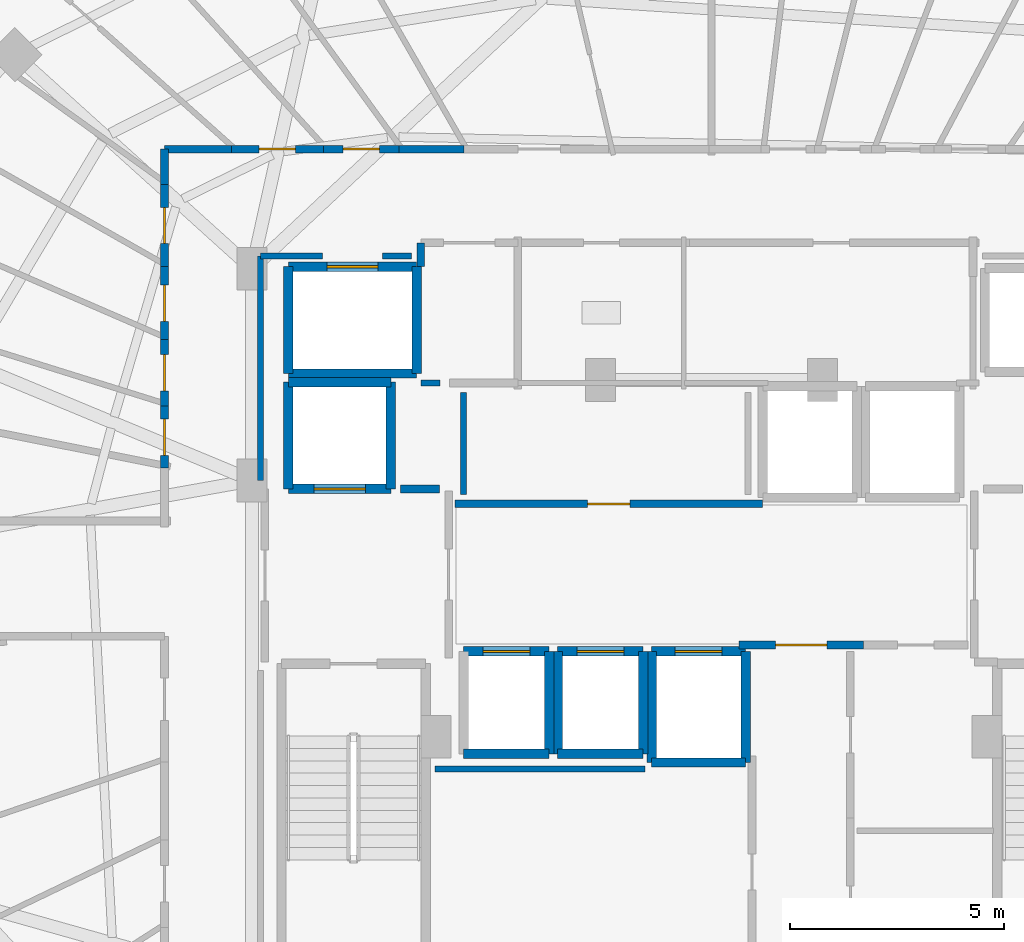
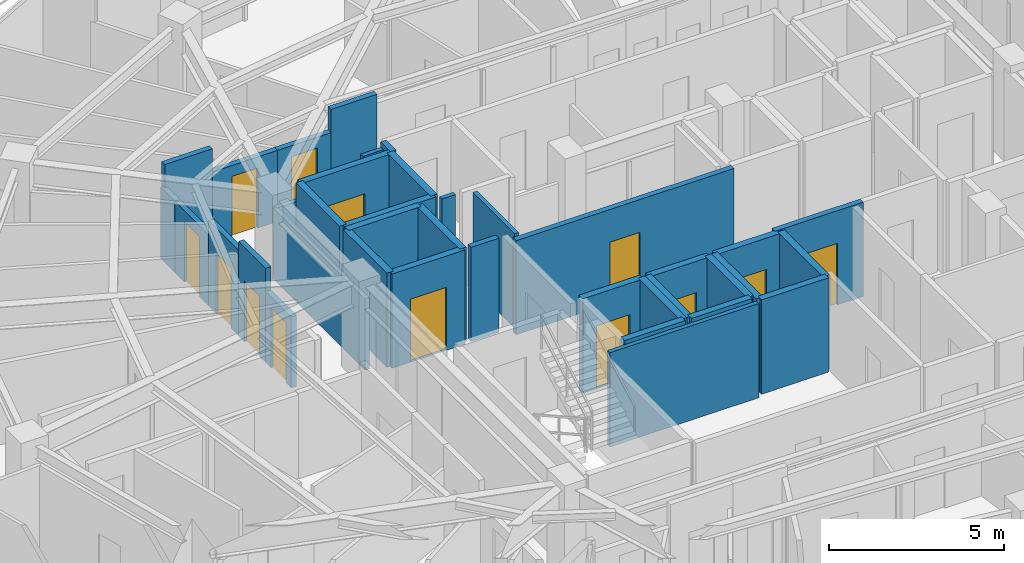
# One storey, part 26 of 34: 38 walls, 13 doors, 13 openings.
"""IFC4 building model written with IfcOpenShell, lengths in metres."""

from ifc_helpers import new_model, si_unit, direction, frame, frame_2d, origin, place, context, subcontext, project, spatial, rectangle, extrude, material, layer, layer_set, type_object, element, fill, save


model = new_model("IFC4")

# Units and contexts
model_context = context("Model", 3, precision=1e-05, world=origin(), true_north=direction((0.0, 1.0)))
body_context = subcontext(model_context, "Body", "Model", "MODEL_VIEW")
ifc_project = project(units=[si_unit("LENGTHUNIT", "METRE"), si_unit("AREAUNIT", "SQUARE_METRE"), si_unit("VOLUMEUNIT", "CUBIC_METRE"), si_unit("PLANEANGLEUNIT", "RADIAN"), si_unit("MASSUNIT", "GRAM", prefix="KILO")], contexts=[model_context])

# Site, building, storey
site_placement = place(None, origin())
site = spatial("IfcSite", under=ifc_project, at=site_placement, CompositionType="ELEMENT")
building_placement = place(site_placement, origin())
building = spatial("IfcBuilding", under=site, at=building_placement, Name="Vorneva Point Tower", CompositionType="ELEMENT")
storey_placement = place(building_placement, frame((0.0, 0.0, 210.75)))
storey = spatial("IfcBuildingStorey", under=building, at=storey_placement, Name="L57", CompositionType="ELEMENT", Elevation=210.75)

# Wall, opening, door
ifc_material_1 = material(Name="Concrete B60 (C50/60)", Category="concrete")
ifc_layer_1 = layer(ifc_material_1, 0.35009765625)
ifc_layer_set_1 = layer_set([ifc_layer_1], Name="Concrete B60 (C50/60)")
wall_type_1 = type_object("IfcWallType", Name="WL-CORE-350", PredefinedType="SHEAR", material=ifc_layer_set_1)
wall_1_placement = place(storey_placement, frame((28.10009765625, 28.0, 0.0), z_axis=(0.0, 0.0, 1.0), x_axis=(1.0, 0.0, 0.0)))
wall_1 = element("IfcWall", 1, at=wall_1_placement, inside=storey, type_object=wall_type_1, Name="L57 Lift FFL1 Shaft Wall -Y", PredefinedType="SHEAR", context=body_context, shape_type="SweptSolid", body=[
    extrude(rectangle(XDim=2.39990234375, YDim=0.219970703125, at=frame_2d((1.199951171875, 0.0))), origin(), (0.0, 0.0, 1.0), 3.2900390625),
])
opening_1_placement = place(wall_1_placement, frame((0.60009765625, 0.0, 0.0)))
opening_1 = element("IfcOpeningElement", 2, at=opening_1_placement, cuts=wall_1, Name="Opening LD-02", PredefinedType="OPENING", context=body_context, shape_type="SweptSolid", body=[
    extrude(rectangle(XDim=1.199951171875, YDim=2.199951171875, at=frame_2d((0.60009765625, 1.10009765625))), frame((0.0, 0.125, 0.0), z_axis=(0.0, -1.0, 0.0), x_axis=(1.0, 0.0, 0.0)), (0.0, 0.0, 1.0), 0.249755859375),
])
ifc_material_2 = material(Name="Brushed stainless steel S304", Category="steel")
door_type_1 = type_object("IfcDoorType", Name="LD-FIRE-1200", OperationType="SLIDING_TO_LEFT", PredefinedType="DOOR", material=ifc_material_2)
door_1_placement = place(opening_1_placement, origin())
door_1 = element("IfcDoor", 3, at=door_1_placement, inside=storey, type_object=door_type_1, Name="L57 Lift FFL1 Sliding Landing Door", OperationType="SLIDING_TO_LEFT", OverallHeight=2.199951171875, OverallWidth=1.199951171875, PredefinedType="DOOR", context=body_context, shape_type="SweptSolid", body=[
    extrude(rectangle(XDim=1.199951171875, YDim=2.199951171875, at=frame_2d((0.60009765625, 1.10009765625))), frame((0.0, 0.02490234375, 0.0), z_axis=(0.0, -1.0, 0.0), x_axis=(1.0, 0.0, 0.0)), (0.0, 0.0, 1.0), 0.050048828125),
])
fill(opening_1, door_1)

# Walls
wall_2_placement = place(storey_placement, frame((30.5, 28.0, 0.0), z_axis=(0.0, 0.0, 1.0), x_axis=(0.0, 1.0, 0.0)))
element("IfcWall", 4, at=wall_2_placement, inside=storey, type_object=wall_type_1, Name="L57 Lift FFL1 Shaft Wall +X", PredefinedType="SHEAR", context=body_context, shape_type="SweptSolid", body=[
    extrude(rectangle(XDim=2.5, YDim=0.219970703125, at=frame_2d((1.25, 0.0))), origin(), (0.0, 0.0, 1.0), 3.2900390625),
])
wall_3_placement = place(storey_placement, frame((30.5, 30.5, 0.0), z_axis=(0.0, 0.0, 1.0), x_axis=(-1.0, 0.0, 0.0)))
element("IfcWall", 5, at=wall_3_placement, inside=storey, type_object=wall_type_1, Name="L57 Lift FFL1 Shaft Wall +Y", PredefinedType="SHEAR", context=body_context, shape_type="SweptSolid", body=[
    extrude(rectangle(XDim=2.39990234375, YDim=0.219970703125, at=frame_2d((1.199951171875, 0.0))), origin(), (0.0, 0.0, 1.0), 3.2900390625),
])
wall_4_placement = place(storey_placement, frame((28.10009765625, 30.5, 0.0), z_axis=(0.0, 0.0, 1.0), x_axis=(0.0, -1.0, 0.0)))
element("IfcWall", 6, at=wall_4_placement, inside=storey, type_object=wall_type_1, Name="L57 Lift FFL1 Shaft Wall -X", PredefinedType="SHEAR", context=body_context, shape_type="SweptSolid", body=[
    extrude(rectangle(XDim=2.5, YDim=0.219970703125, at=frame_2d((1.25, 0.0))), origin(), (0.0, 0.0, 1.0), 3.2900390625),
])
ifc_material_3 = material(Name="Fire-rated acoustic gypsum stud partition", Category="gypsum")
ifc_layer_2 = layer(ifc_material_3, 0.139892578125)
ifc_layer_set_2 = layer_set([ifc_layer_2], Name="Fire-rated acoustic gypsum stud partition")
wall_type_2 = type_object("IfcWallType", Name="WL-PART-140", PredefinedType="PARTITIONING", material=ifc_layer_set_2)
wall_5_placement = place(storey_placement, frame((31.199951171875, 30.47998046875, 0.0), z_axis=(0.0, 0.0, 1.0), x_axis=(1.0, 0.0, 0.0)))
element("IfcWall", 7, at=wall_5_placement, inside=storey, type_object=wall_type_2, Name="L57 Interior Closure Partition 166", PredefinedType="PARTITIONING", context=body_context, shape_type="SweptSolid", body=[
    extrude(rectangle(XDim=0.449951171875, YDim=0.139892578125, at=frame_2d((0.22509765625, 0.0))), origin(), (0.0, 0.0, 1.0), 3.2900390625),
])
wall_6_placement = place(storey_placement, frame((36.43896484375, 21.449951171875, 0.0), z_axis=(0.0, 0.0, 1.0), x_axis=(-1.0, 0.0, 0.0)))
element("IfcWall", 8, at=wall_6_placement, inside=storey, type_object=wall_type_2, Name="L57 Interior Closure Partition 169", PredefinedType="PARTITIONING", context=body_context, shape_type="SweptSolid", body=[
    extrude(rectangle(XDim=4.908935546875, YDim=0.139892578125, at=frame_2d((2.45458984375, 0.0))), origin(), (0.0, 0.0, 1.0), 3.2900390625),
])
wall_7_placement = place(storey_placement, frame((32.199951171875, 30.260009765625, 0.0), z_axis=(0.0, 0.0, 1.0), x_axis=(0.0, -1.0, 0.0)))
element("IfcWall", 9, at=wall_7_placement, inside=storey, type_object=wall_type_2, Name="L57 Interior Closure Partition 170", PredefinedType="PARTITIONING", context=body_context, shape_type="SweptSolid", body=[
    extrude(rectangle(XDim=2.389892578125, YDim=0.139892578125, at=frame_2d((1.19482421875, 0.0))), origin(), (0.0, 0.0, 1.0), 3.2900390625),
])
wall_8_placement = place(storey_placement, frame((30.97998046875, 33.449951171875, 0.0), z_axis=(0.0, 0.0, 1.0), x_axis=(-1.0, 0.0, 0.0)))
element("IfcWall", 10, at=wall_8_placement, inside=storey, type_object=wall_type_2, Name="L57 Interior Closure Partition 176", PredefinedType="PARTITIONING", context=body_context, shape_type="SweptSolid", body=[
    extrude(rectangle(XDim=0.674072265625, YDim=0.139892578125, at=frame_2d((0.3369140625, 0.0))), origin(), (0.0, 0.0, 1.0), 3.2900390625),
])
wall_9_placement = place(storey_placement, frame((28.89404296875, 33.449951171875, 0.0), z_axis=(0.0, 0.0, 1.0), x_axis=(-1.0, 0.0, 0.0)))
element("IfcWall", 11, at=wall_9_placement, inside=storey, type_object=wall_type_2, Name="L57 Interior Closure Partition 177", PredefinedType="PARTITIONING", context=body_context, shape_type="SweptSolid", body=[
    extrude(rectangle(XDim=1.444091796875, YDim=0.139892578125, at=frame_2d((0.72216796875, 0.0))), origin(), (0.0, 0.0, 1.0), 2.48193359375),
])
wall_10_placement = place(storey_placement, frame((27.449951171875, 33.449951171875, 0.0), z_axis=(0.0, 0.0, 1.0), x_axis=(0.0, -1.0, 0.0)))
element("IfcWall", 12, at=wall_10_placement, inside=storey, type_object=wall_type_2, Name="L57 Interior Closure Partition 178", PredefinedType="PARTITIONING", context=body_context, shape_type="SweptSolid", body=[
    extrude(rectangle(XDim=5.25390625, YDim=0.139892578125, at=frame_2d((2.626953125, 0.0))), origin(), (0.0, 0.0, 1.0), 2.48193359375),
])
ifc_material_4 = material(Name="Autoclaved aerated concrete blockwork", Category="masonry")
ifc_layer_3 = layer(ifc_material_4, 0.179931640625)
ifc_layer_set_3 = layer_set([ifc_layer_3], Name="Autoclaved aerated concrete blockwork")
wall_type_3 = type_object("IfcWallType", Name="WL-PART-180", PredefinedType="PARTITIONING", material=ifc_layer_set_3)
wall_11_placement = place(storey_placement, frame((31.199951171875, 33.760009765625, 0.0), z_axis=(0.0, 0.0, 1.0), x_axis=(0.0, -1.0, 0.0)))
element("IfcWall", 13, at=wall_11_placement, inside=storey, type_object=wall_type_3, Name="L57 Interior Partition 009", PredefinedType="PARTITIONING", context=body_context, shape_type="SweptSolid", body=[
    extrude(rectangle(XDim=0.56005859375, YDim=0.179931640625, at=frame_2d((0.280029296875, 0.0))), origin(), (0.0, 0.0, 1.0), 3.2900390625),
])

# Wall, opening, door
wall_12_placement = place(storey_placement, frame((38.64501953125, 24.35009765625, 0.0), z_axis=(0.0, 0.0, 1.0), x_axis=(1.0, 0.0, 0.0)))
wall_12 = element("IfcWall", 14, at=wall_12_placement, inside=storey, type_object=wall_type_3, Name="L57 Interior Partition 010", PredefinedType="PARTITIONING", context=body_context, shape_type="SweptSolid", body=[
    extrude(rectangle(XDim=2.909912109375, YDim=0.179931640625, at=frame_2d((1.455078125, 0.0))), origin(), (0.0, 0.0, 1.0), 3.2900390625),
])
opening_2_placement = place(wall_12_placement, frame((0.85498046875, 0.0, 0.0)))
opening_2 = element("IfcOpeningElement", 15, at=opening_2_placement, cuts=wall_12, Name="Opening FD-02", PredefinedType="OPENING", context=body_context, shape_type="SweptSolid", body=[
    extrude(rectangle(XDim=1.199951171875, YDim=2.14990234375, at=frame_2d((0.60009765625, 1.074951171875))), frame((0.0, 0.10498046875, 0.0), z_axis=(0.0, -1.0, 0.0), x_axis=(1.0, 0.0, 0.0)), (0.0, 0.0, 1.0), 0.209716796875),
])
ifc_material_5 = material(Name="Fire-rated powder-coated steel", Category="steel")
door_type_2 = type_object("IfcDoorType", Name="DR-FFL-1200", OperationType="NOTDEFINED", PredefinedType="DOOR", material=ifc_material_5)
door_2_placement = place(opening_2_placement, origin())
door_2 = element("IfcDoor", 16, at=door_2_placement, inside=storey, type_object=door_type_2, Name="L57 Door Central Lift Lobby / Core Service Lobby", OperationType="SINGLE_SWING_RIGHT", OverallHeight=2.14990234375, OverallWidth=1.199951171875, PredefinedType="DOOR", context=body_context, shape_type="SweptSolid", body=[
    extrude(rectangle(XDim=1.199951171875, YDim=2.14990234375, at=frame_2d((0.60009765625, 1.074951171875))), frame((0.0, 0.02490234375, 0.0), z_axis=(0.0, -1.0, 0.0), x_axis=(1.0, 0.0, 0.0)), (0.0, 0.0, 1.0), 0.050048828125),
])
fill(opening_2, door_2)

wall_13_placement = place(storey_placement, frame((39.18994140625, 27.64990234375, 0.0), z_axis=(0.0, 0.0, 1.0), x_axis=(-1.0, 0.0, 0.0)))
wall_13 = element("IfcWall", 17, at=wall_13_placement, inside=storey, type_object=wall_type_3, Name="L57 Interior Partition 012", PredefinedType="PARTITIONING", context=body_context, shape_type="SweptSolid", body=[
    extrude(rectangle(XDim=7.18994140625, YDim=0.179931640625, at=frame_2d((3.594970703125, 0.0))), origin(), (0.0, 0.0, 1.0), 3.2900390625),
])
opening_3_placement = place(wall_13_placement, frame((3.094970703125, 0.0, 0.0)))
opening_3 = element("IfcOpeningElement", 18, at=opening_3_placement, cuts=wall_13, Name="Opening UD-01", PredefinedType="OPENING", context=body_context, shape_type="SweptSolid", body=[
    extrude(rectangle(XDim=1.0, YDim=2.14990234375, at=frame_2d((0.5, 1.074951171875))), frame((0.0, 0.10498046875, 0.0), z_axis=(0.0, -1.0, 0.0), x_axis=(1.0, 0.0, 0.0)), (0.0, 0.0, 1.0), 0.209716796875),
])
ifc_material_6 = material(Name="Engineered oak fire-rated door leaf", Category="wood")
door_type_3 = type_object("IfcDoorType", Name="DR-UNIT-1000", OperationType="NOTDEFINED", PredefinedType="DOOR", material=ifc_material_6)
door_3_placement = place(opening_3_placement, origin())
door_3 = element("IfcDoor", 19, at=door_3_placement, inside=storey, type_object=door_type_3, Name="L57 Door Central Lift Lobby / Reclaimed Core Meeting Room", OperationType="SINGLE_SWING_RIGHT", OverallHeight=2.14990234375, OverallWidth=1.0, PredefinedType="DOOR", context=body_context, shape_type="SweptSolid", body=[
    extrude(rectangle(XDim=1.0, YDim=2.14990234375, at=frame_2d((0.5, 1.074951171875))), frame((0.0, 0.02490234375, 0.0), z_axis=(0.0, -1.0, 0.0), x_axis=(1.0, 0.0, 0.0)), (0.0, 0.0, 1.0), 0.050048828125),
])
fill(opening_3, door_3)

# Wall
wall_14_placement = place(storey_placement, frame((32.2041015625, 35.949951171875, 0.0), z_axis=(0.0, 0.0, 1.0), x_axis=(-1.0, 0.0, 0.0)))
element("IfcWall", 20, at=wall_14_placement, inside=storey, type_object=wall_type_3, Name="L57 Interior Partition 038", PredefinedType="PARTITIONING", context=body_context, shape_type="SweptSolid", body=[
    extrude(rectangle(XDim=1.51513671875, YDim=0.179931640625, at=frame_2d((0.757568359375, 0.0))), origin(), (0.0, 0.0, 1.0), 3.2900390625),
])

# Wall, opening, door
wall_15_placement = place(storey_placement, frame((30.68896484375, 35.949951171875, 0.0), z_axis=(0.0, 0.0, 1.0), x_axis=(-1.0, 0.0, 0.0)))
wall_15 = element("IfcWall", 21, at=wall_15_placement, inside=storey, type_object=wall_type_3, Name="L57 Interior Partition 039", PredefinedType="PARTITIONING", context=body_context, shape_type="SweptSolid", body=[
    extrude(rectangle(XDim=1.77001953125, YDim=0.179931640625, at=frame_2d((0.885009765625, 0.0))), origin(), (0.0, 0.0, 1.0), 2.48193359375),
])
opening_4_placement = place(wall_15_placement, frame((0.4599609375, 0.0, 0.0)))
opening_4 = element("IfcOpeningElement", 22, at=opening_4_placement, cuts=wall_15, Name="Opening ID-02", PredefinedType="OPENING", context=body_context, shape_type="SweptSolid", body=[
    extrude(rectangle(XDim=0.85009765625, YDim=2.10009765625, at=frame_2d((0.425048828125, 1.050048828125))), frame((0.0, 0.10498046875, 0.0), z_axis=(0.0, -1.0, 0.0), x_axis=(1.0, 0.0, 0.0)), (0.0, 0.0, 1.0), 0.209716796875),
])
door_type_4 = type_object("IfcDoorType", Name="DR-BATH-850", OperationType="NOTDEFINED", PredefinedType="DOOR", material=ifc_material_6)
door_4_placement = place(opening_4_placement, origin())
door_4 = element("IfcDoor", 23, at=door_4_placement, inside=storey, type_object=door_type_4, Name="L57 Access Door L57 Circulation Corridor", OperationType="SINGLE_SWING_LEFT", OverallHeight=2.10009765625, OverallWidth=0.85009765625, PredefinedType="DOOR", context=body_context, shape_type="SweptSolid", body=[
    extrude(rectangle(XDim=0.85009765625, YDim=2.10009765625, at=frame_2d((0.425048828125, 1.050048828125))), frame((0.0, 0.02490234375, 0.0), z_axis=(0.0, -1.0, 0.0), x_axis=(1.0, 0.0, 0.0)), (0.0, 0.0, 1.0), 0.050048828125),
])
fill(opening_4, door_4)

wall_16_placement = place(storey_placement, frame((28.9189453125, 35.949951171875, 0.0), z_axis=(0.0, 0.0, 1.0), x_axis=(-1.0, 0.0, 0.0)))
wall_16 = element("IfcWall", 24, at=wall_16_placement, inside=storey, type_object=wall_type_3, Name="L57 Interior Partition 040", PredefinedType="PARTITIONING", context=body_context, shape_type="SweptSolid", body=[
    extrude(rectangle(XDim=2.15087890625, YDim=0.179931640625, at=frame_2d((1.075439453125, 0.0))), origin(), (0.0, 0.0, 1.0), 2.48193359375),
])
opening_5_placement = place(wall_16_placement, frame((0.650390625, 0.0, 0.0)))
opening_5 = element("IfcOpeningElement", 25, at=opening_5_placement, cuts=wall_16, Name="Opening ID-02", PredefinedType="OPENING", context=body_context, shape_type="SweptSolid", body=[
    extrude(rectangle(XDim=0.85009765625, YDim=2.10009765625, at=frame_2d((0.425048828125, 1.050048828125))), frame((0.0, 0.10498046875, 0.0), z_axis=(0.0, -1.0, 0.0), x_axis=(1.0, 0.0, 0.0)), (0.0, 0.0, 1.0), 0.209716796875),
])
door_5_placement = place(opening_5_placement, origin())
door_5 = element("IfcDoor", 26, at=door_5_placement, inside=storey, type_object=door_type_4, Name="L57 Access Door L57 Circulation Corridor", OperationType="SINGLE_SWING_RIGHT", OverallHeight=2.10009765625, OverallWidth=0.85009765625, PredefinedType="DOOR", context=body_context, shape_type="SweptSolid", body=[
    extrude(rectangle(XDim=0.85009765625, YDim=2.10009765625, at=frame_2d((0.425048828125, 1.050048828125))), frame((0.0, 0.02490234375, 0.0), z_axis=(0.0, -1.0, 0.0), x_axis=(1.0, 0.0, 0.0)), (0.0, 0.0, 1.0), 0.050048828125),
])
fill(opening_5, door_5)

# Walls
wall_17_placement = place(storey_placement, frame((26.76806640625, 35.949951171875, 0.0), z_axis=(0.0, 0.0, 1.0), x_axis=(-1.0, 0.0, 0.0)))
element("IfcWall", 27, at=wall_17_placement, inside=storey, type_object=wall_type_3, Name="L57 Interior Partition 041", PredefinedType="PARTITIONING", context=body_context, shape_type="SweptSolid", body=[
    extrude(rectangle(XDim=1.568115234375, YDim=0.179931640625, at=frame_2d((0.7841796875, 0.0))), origin(), (0.0, 0.0, 1.0), 3.2900390625),
])
wall_18_placement = place(storey_placement, frame((25.199951171875, 35.949951171875, 0.0), z_axis=(0.0, 0.0, 1.0), x_axis=(0.0, -1.0, 0.0)))
element("IfcWall", 28, at=wall_18_placement, inside=storey, type_object=wall_type_3, Name="L57 Interior Partition 042", PredefinedType="PARTITIONING", context=body_context, shape_type="SweptSolid", body=[
    extrude(rectangle(XDim=0.824951171875, YDim=0.179931640625, at=frame_2d((0.41259765625, 0.0))), origin(), (0.0, 0.0, 1.0), 2.48193359375),
])

# Wall, opening, door
wall_19_placement = place(storey_placement, frame((25.199951171875, 35.125, 0.0), z_axis=(0.0, 0.0, 1.0), x_axis=(0.0, -1.0, 0.0)))
wall_19 = element("IfcWall", 29, at=wall_19_placement, inside=storey, type_object=wall_type_3, Name="L57 Interior Partition 043", PredefinedType="PARTITIONING", context=body_context, shape_type="SweptSolid", body=[
    extrude(rectangle(XDim=1.926025390625, YDim=0.179931640625, at=frame_2d((0.962890625, 0.0))), origin(), (0.0, 0.0, 1.0), 2.48193359375),
])
opening_6_placement = place(wall_19_placement, frame((0.5380859375, 0.0, 0.0)))
opening_6 = element("IfcOpeningElement", 30, at=opening_6_placement, cuts=wall_19, Name="Opening ID-02", PredefinedType="OPENING", context=body_context, shape_type="SweptSolid", body=[
    extrude(rectangle(XDim=0.85009765625, YDim=2.10009765625, at=frame_2d((0.425048828125, 1.050048828125))), frame((0.0, 0.10498046875, 0.0), z_axis=(0.0, -1.0, 0.0), x_axis=(1.0, 0.0, 0.0)), (0.0, 0.0, 1.0), 0.209716796875),
])
door_6_placement = place(opening_6_placement, origin())
door_6 = element("IfcDoor", 31, at=door_6_placement, inside=storey, type_object=door_type_4, Name="L57 Access Door L57 Circulation Corridor", OperationType="SINGLE_SWING_LEFT", OverallHeight=2.10009765625, OverallWidth=0.85009765625, PredefinedType="DOOR", context=body_context, shape_type="SweptSolid", body=[
    extrude(rectangle(XDim=0.85009765625, YDim=2.10009765625, at=frame_2d((0.425048828125, 1.050048828125))), frame((0.0, 0.02490234375, 0.0), z_axis=(0.0, -1.0, 0.0), x_axis=(1.0, 0.0, 0.0)), (0.0, 0.0, 1.0), 0.050048828125),
])
fill(opening_6, door_6)

wall_20_placement = place(storey_placement, frame((25.199951171875, 33.198974609375, 0.0), z_axis=(0.0, 0.0, 1.0), x_axis=(0.0, -1.0, 0.0)))
wall_20 = element("IfcWall", 32, at=wall_20_placement, inside=storey, type_object=wall_type_3, Name="L57 Interior Partition 044", PredefinedType="PARTITIONING", context=body_context, shape_type="SweptSolid", body=[
    extrude(rectangle(XDim=1.705078125, YDim=0.179931640625, at=frame_2d((0.8525390625, 0.0))), origin(), (0.0, 0.0, 1.0), 2.97900390625),
])
opening_7_placement = place(wall_20_placement, frame((0.427490234375, 0.0, 0.0)))
opening_7 = element("IfcOpeningElement", 33, at=opening_7_placement, cuts=wall_20, Name="Opening ID-02", PredefinedType="OPENING", context=body_context, shape_type="SweptSolid", body=[
    extrude(rectangle(XDim=0.85009765625, YDim=2.10009765625, at=frame_2d((0.425048828125, 1.050048828125))), frame((0.0, 0.10498046875, 0.0), z_axis=(0.0, -1.0, 0.0), x_axis=(1.0, 0.0, 0.0)), (0.0, 0.0, 1.0), 0.209716796875),
])
door_7_placement = place(opening_7_placement, origin())
door_7 = element("IfcDoor", 34, at=door_7_placement, inside=storey, type_object=door_type_4, Name="L57 Access Door L57 Circulation Corridor", OperationType="SINGLE_SWING_RIGHT", OverallHeight=2.10009765625, OverallWidth=0.85009765625, PredefinedType="DOOR", context=body_context, shape_type="SweptSolid", body=[
    extrude(rectangle(XDim=0.85009765625, YDim=2.10009765625, at=frame_2d((0.425048828125, 1.050048828125))), frame((0.0, 0.02490234375, 0.0), z_axis=(0.0, -1.0, 0.0), x_axis=(1.0, 0.0, 0.0)), (0.0, 0.0, 1.0), 0.050048828125),
])
fill(opening_7, door_7)

wall_21_placement = place(storey_placement, frame((25.199951171875, 31.493896484375, 0.0), z_axis=(0.0, 0.0, 1.0), x_axis=(0.0, -1.0, 0.0)))
wall_21 = element("IfcWall", 35, at=wall_21_placement, inside=storey, type_object=wall_type_3, Name="L57 Interior Partition 045", PredefinedType="PARTITIONING", context=body_context, shape_type="SweptSolid", body=[
    extrude(rectangle(XDim=1.553955078125, YDim=0.179931640625, at=frame_2d((0.77685546875, 0.0))), origin(), (0.0, 0.0, 1.0), 3.2900390625),
])
opening_8_placement = place(wall_21_placement, frame((0.35205078125, 0.0, 0.0)))
opening_8 = element("IfcOpeningElement", 36, at=opening_8_placement, cuts=wall_21, Name="Opening ID-02", PredefinedType="OPENING", context=body_context, shape_type="SweptSolid", body=[
    extrude(rectangle(XDim=0.85009765625, YDim=2.10009765625, at=frame_2d((0.425048828125, 1.050048828125))), frame((0.0, 0.10498046875, 0.0), z_axis=(0.0, -1.0, 0.0), x_axis=(1.0, 0.0, 0.0)), (0.0, 0.0, 1.0), 0.209716796875),
])
door_8_placement = place(opening_8_placement, origin())
door_8 = element("IfcDoor", 37, at=door_8_placement, inside=storey, type_object=door_type_4, Name="L57 Access Door L57 Circulation Corridor", OperationType="SINGLE_SWING_LEFT", OverallHeight=2.10009765625, OverallWidth=0.85009765625, PredefinedType="DOOR", context=body_context, shape_type="SweptSolid", body=[
    extrude(rectangle(XDim=0.85009765625, YDim=2.10009765625, at=frame_2d((0.425048828125, 1.050048828125))), frame((0.0, 0.02490234375, 0.0), z_axis=(0.0, -1.0, 0.0), x_axis=(1.0, 0.0, 0.0)), (0.0, 0.0, 1.0), 0.050048828125),
])
fill(opening_8, door_8)

wall_22_placement = place(storey_placement, frame((25.199951171875, 29.93994140625, 0.0), z_axis=(0.0, 0.0, 1.0), x_axis=(0.0, -1.0, 0.0)))
wall_22 = element("IfcWall", 38, at=wall_22_placement, inside=storey, type_object=wall_type_3, Name="L57 Interior Partition 046", PredefinedType="PARTITIONING", context=body_context, shape_type="SweptSolid", body=[
    extrude(rectangle(XDim=1.453857421875, YDim=0.179931640625, at=frame_2d((0.72705078125, 0.0))), origin(), (0.0, 0.0, 1.0), 2.48193359375),
])
opening_9_placement = place(wall_22_placement, frame((0.302001953125, 0.0, 0.0)))
opening_9 = element("IfcOpeningElement", 39, at=opening_9_placement, cuts=wall_22, Name="Opening ID-02", PredefinedType="OPENING", context=body_context, shape_type="SweptSolid", body=[
    extrude(rectangle(XDim=0.85009765625, YDim=2.10009765625, at=frame_2d((0.425048828125, 1.050048828125))), frame((0.0, 0.10498046875, 0.0), z_axis=(0.0, -1.0, 0.0), x_axis=(1.0, 0.0, 0.0)), (0.0, 0.0, 1.0), 0.209716796875),
])
door_9_placement = place(opening_9_placement, origin())
door_9 = element("IfcDoor", 40, at=door_9_placement, inside=storey, type_object=door_type_4, Name="L57 Access Door L57 Circulation Corridor", OperationType="SINGLE_SWING_RIGHT", OverallHeight=2.10009765625, OverallWidth=0.85009765625, PredefinedType="DOOR", context=body_context, shape_type="SweptSolid", body=[
    extrude(rectangle(XDim=0.85009765625, YDim=2.10009765625, at=frame_2d((0.425048828125, 1.050048828125))), frame((0.0, 0.02490234375, 0.0), z_axis=(0.0, -1.0, 0.0), x_axis=(1.0, 0.0, 0.0)), (0.0, 0.0, 1.0), 0.050048828125),
])
fill(opening_9, door_9)

# Walls
wall_23_placement = place(storey_placement, frame((31.635009765625, 28.0, 0.0), z_axis=(0.0, 0.0, 1.0), x_axis=(-1.0, 0.0, 0.0)))
element("IfcWall", 41, at=wall_23_placement, inside=storey, type_object=wall_type_3, Name="L57 Interior Closure Partition 164", PredefinedType="PARTITIONING", context=body_context, shape_type="SweptSolid", body=[
    extrude(rectangle(XDim=0.9150390625, YDim=0.179931640625, at=frame_2d((0.45751953125, 0.0))), origin(), (0.0, 0.0, 1.0), 3.2900390625),
])
ifc_material_7 = material(Name="Concrete B50 (C40/50)", Category="concrete")
ifc_layer_4 = layer(ifc_material_7, 0.219970703125)
ifc_layer_set_4 = layer_set([ifc_layer_4], Name="Concrete B50 (C40/50)")
wall_type_4 = type_object("IfcWallType", Name="WL-SHFT-220", PredefinedType="SOLIDWALL", material=ifc_layer_set_4)
wall_24_placement = place(storey_placement, frame((32.199951171875, 21.800048828125, 0.0), z_axis=(0.0, 0.0, 1.0), x_axis=(1.0, 0.0, 0.0)))
element("IfcWall", 42, at=wall_24_placement, inside=storey, type_object=wall_type_4, Name="L57 Lift PL4 Shaft Wall -Y", PredefinedType="SOLIDWALL", context=body_context, shape_type="SweptSolid", body=[
    extrude(rectangle(XDim=2.0, YDim=0.219970703125, at=frame_2d((1.0, 0.0))), origin(), (0.0, 0.0, 1.0), 3.2900390625),
])
wall_25_placement = place(storey_placement, frame((34.199951171875, 21.800048828125, 0.0), z_axis=(0.0, 0.0, 1.0), x_axis=(0.0, 1.0, 0.0)))
element("IfcWall", 43, at=wall_25_placement, inside=storey, type_object=wall_type_4, Name="L57 Lift PL4 Shaft Wall +X", PredefinedType="SOLIDWALL", context=body_context, shape_type="SweptSolid", body=[
    extrude(rectangle(XDim=2.39990234375, YDim=0.219970703125, at=frame_2d((1.199951171875, 0.0))), origin(), (0.0, 0.0, 1.0), 3.2900390625),
])

# Wall, opening, door
wall_26_placement = place(storey_placement, frame((34.199951171875, 24.199951171875, 0.0), z_axis=(0.0, 0.0, 1.0), x_axis=(-1.0, 0.0, 0.0)))
wall_26 = element("IfcWall", 44, at=wall_26_placement, inside=storey, type_object=wall_type_4, Name="L57 Lift PL4 Shaft Wall +Y", PredefinedType="SOLIDWALL", context=body_context, shape_type="SweptSolid", body=[
    extrude(rectangle(XDim=2.0, YDim=0.219970703125, at=frame_2d((1.0, 0.0))), origin(), (0.0, 0.0, 1.0), 3.2900390625),
])
opening_10_placement = place(wall_26_placement, frame((0.449951171875, 0.0, 0.0)))
opening_10 = element("IfcOpeningElement", 45, at=opening_10_placement, cuts=wall_26, Name="Opening LD-01", PredefinedType="OPENING", context=body_context, shape_type="SweptSolid", body=[
    extrude(rectangle(XDim=1.10009765625, YDim=2.199951171875, at=frame_2d((0.550048828125, 1.10009765625))), frame((0.0, 0.125, 0.0), z_axis=(0.0, -1.0, 0.0), x_axis=(1.0, 0.0, 0.0)), (0.0, 0.0, 1.0), 0.249755859375),
])
door_type_5 = type_object("IfcDoorType", Name="LD-PASS-1100", OperationType="SLIDING_TO_LEFT", PredefinedType="DOOR", material=ifc_material_2)
door_10_placement = place(opening_10_placement, origin())
door_10 = element("IfcDoor", 46, at=door_10_placement, inside=storey, type_object=door_type_5, Name="L57 Lift PL4 Sliding Landing Door", OperationType="SLIDING_TO_LEFT", OverallHeight=2.199951171875, OverallWidth=1.10009765625, PredefinedType="DOOR", context=body_context, shape_type="SweptSolid", body=[
    extrude(rectangle(XDim=1.10009765625, YDim=2.199951171875, at=frame_2d((0.550048828125, 1.10009765625))), frame((0.0, 0.02490234375, 0.0), z_axis=(0.0, -1.0, 0.0), x_axis=(1.0, 0.0, 0.0)), (0.0, 0.0, 1.0), 0.050048828125),
])
fill(opening_10, door_10)

# Walls
wall_27_placement = place(storey_placement, frame((34.39990234375, 21.800048828125, 0.0), z_axis=(0.0, 0.0, 1.0), x_axis=(1.0, 0.0, 0.0)))
element("IfcWall", 47, at=wall_27_placement, inside=storey, type_object=wall_type_4, Name="L57 Lift PL5 Shaft Wall -Y", PredefinedType="SOLIDWALL", context=body_context, shape_type="SweptSolid", body=[
    extrude(rectangle(XDim=2.0, YDim=0.219970703125, at=frame_2d((1.0, 0.0))), origin(), (0.0, 0.0, 1.0), 3.2900390625),
])
wall_28_placement = place(storey_placement, frame((36.39990234375, 21.800048828125, 0.0), z_axis=(0.0, 0.0, 1.0), x_axis=(0.0, 1.0, 0.0)))
element("IfcWall", 48, at=wall_28_placement, inside=storey, type_object=wall_type_4, Name="L57 Lift PL5 Shaft Wall +X", PredefinedType="SOLIDWALL", context=body_context, shape_type="SweptSolid", body=[
    extrude(rectangle(XDim=2.39990234375, YDim=0.219970703125, at=frame_2d((1.199951171875, 0.0))), origin(), (0.0, 0.0, 1.0), 3.2900390625),
])

# Wall, opening, door
wall_29_placement = place(storey_placement, frame((36.39990234375, 24.199951171875, 0.0), z_axis=(0.0, 0.0, 1.0), x_axis=(-1.0, 0.0, 0.0)))
wall_29 = element("IfcWall", 49, at=wall_29_placement, inside=storey, type_object=wall_type_4, Name="L57 Lift PL5 Shaft Wall +Y", PredefinedType="SOLIDWALL", context=body_context, shape_type="SweptSolid", body=[
    extrude(rectangle(XDim=2.0, YDim=0.219970703125, at=frame_2d((1.0, 0.0))), origin(), (0.0, 0.0, 1.0), 3.2900390625),
])
opening_11_placement = place(wall_29_placement, frame((0.449951171875, 0.0, 0.0)))
opening_11 = element("IfcOpeningElement", 50, at=opening_11_placement, cuts=wall_29, Name="Opening LD-01", PredefinedType="OPENING", context=body_context, shape_type="SweptSolid", body=[
    extrude(rectangle(XDim=1.10009765625, YDim=2.199951171875, at=frame_2d((0.550048828125, 1.10009765625))), frame((0.0, 0.125, 0.0), z_axis=(0.0, -1.0, 0.0), x_axis=(1.0, 0.0, 0.0)), (0.0, 0.0, 1.0), 0.249755859375),
])
door_11_placement = place(opening_11_placement, origin())
door_11 = element("IfcDoor", 51, at=door_11_placement, inside=storey, type_object=door_type_5, Name="L57 Lift PL5 Sliding Landing Door", OperationType="SLIDING_TO_LEFT", OverallHeight=2.199951171875, OverallWidth=1.10009765625, PredefinedType="DOOR", context=body_context, shape_type="SweptSolid", body=[
    extrude(rectangle(XDim=1.10009765625, YDim=2.199951171875, at=frame_2d((0.550048828125, 1.10009765625))), frame((0.0, 0.02490234375, 0.0), z_axis=(0.0, -1.0, 0.0), x_axis=(1.0, 0.0, 0.0)), (0.0, 0.0, 1.0), 0.050048828125),
])
fill(opening_11, door_11)

# Walls
wall_30_placement = place(storey_placement, frame((34.39990234375, 24.199951171875, 0.0), z_axis=(0.0, 0.0, 1.0), x_axis=(0.0, -1.0, 0.0)))
element("IfcWall", 52, at=wall_30_placement, inside=storey, type_object=wall_type_4, Name="L57 Lift PL5 Shaft Wall -X", PredefinedType="SOLIDWALL", context=body_context, shape_type="SweptSolid", body=[
    extrude(rectangle(XDim=2.39990234375, YDim=0.219970703125, at=frame_2d((1.199951171875, 0.0))), origin(), (0.0, 0.0, 1.0), 3.2900390625),
])
wall_31_placement = place(storey_placement, frame((36.60009765625, 21.60009765625, 0.0), z_axis=(0.0, 0.0, 1.0), x_axis=(1.0, 0.0, 0.0)))
element("IfcWall", 53, at=wall_31_placement, inside=storey, type_object=wall_type_4, Name="L57 Lift PL6 Shaft Wall -Y", PredefinedType="SOLIDWALL", context=body_context, shape_type="SweptSolid", body=[
    extrude(rectangle(XDim=2.199951171875, YDim=0.219970703125, at=frame_2d((1.10009765625, 0.0))), origin(), (0.0, 0.0, 1.0), 3.2900390625),
])
wall_32_placement = place(storey_placement, frame((38.800048828125, 21.60009765625, 0.0), z_axis=(0.0, 0.0, 1.0), x_axis=(0.0, 1.0, 0.0)))
element("IfcWall", 54, at=wall_32_placement, inside=storey, type_object=wall_type_4, Name="L57 Lift PL6 Shaft Wall +X", PredefinedType="SOLIDWALL", context=body_context, shape_type="SweptSolid", body=[
    extrude(rectangle(XDim=2.599853515625, YDim=0.219970703125, at=frame_2d((1.2998046875, 0.0))), origin(), (0.0, 0.0, 1.0), 3.2900390625),
])

# Wall, opening, door
wall_33_placement = place(storey_placement, frame((38.800048828125, 24.199951171875, 0.0), z_axis=(0.0, 0.0, 1.0), x_axis=(-1.0, 0.0, 0.0)))
wall_33 = element("IfcWall", 55, at=wall_33_placement, inside=storey, type_object=wall_type_4, Name="L57 Lift PL6 Shaft Wall +Y", PredefinedType="SOLIDWALL", context=body_context, shape_type="SweptSolid", body=[
    extrude(rectangle(XDim=2.199951171875, YDim=0.219970703125, at=frame_2d((1.10009765625, 0.0))), origin(), (0.0, 0.0, 1.0), 3.2900390625),
])
opening_12_placement = place(wall_33_placement, frame((0.550048828125, 0.0, 0.0)))
opening_12 = element("IfcOpeningElement", 56, at=opening_12_placement, cuts=wall_33, Name="Opening LD-01", PredefinedType="OPENING", context=body_context, shape_type="SweptSolid", body=[
    extrude(rectangle(XDim=1.10009765625, YDim=2.199951171875, at=frame_2d((0.550048828125, 1.10009765625))), frame((0.0, 0.125, 0.0), z_axis=(0.0, -1.0, 0.0), x_axis=(1.0, 0.0, 0.0)), (0.0, 0.0, 1.0), 0.249755859375),
])
door_12_placement = place(opening_12_placement, origin())
door_12 = element("IfcDoor", 57, at=door_12_placement, inside=storey, type_object=door_type_5, Name="L57 Lift PL6 Sliding Landing Door", OperationType="SLIDING_TO_LEFT", OverallHeight=2.199951171875, OverallWidth=1.10009765625, PredefinedType="DOOR", context=body_context, shape_type="SweptSolid", body=[
    extrude(rectangle(XDim=1.10009765625, YDim=2.199951171875, at=frame_2d((0.550048828125, 1.10009765625))), frame((0.0, 0.02490234375, 0.0), z_axis=(0.0, -1.0, 0.0), x_axis=(1.0, 0.0, 0.0)), (0.0, 0.0, 1.0), 0.050048828125),
])
fill(opening_12, door_12)

# Walls
wall_34_placement = place(storey_placement, frame((36.60009765625, 24.199951171875, 0.0), z_axis=(0.0, 0.0, 1.0), x_axis=(0.0, -1.0, 0.0)))
element("IfcWall", 58, at=wall_34_placement, inside=storey, type_object=wall_type_4, Name="L57 Lift PL6 Shaft Wall -X", PredefinedType="SOLIDWALL", context=body_context, shape_type="SweptSolid", body=[
    extrude(rectangle(XDim=2.599853515625, YDim=0.219970703125, at=frame_2d((1.2998046875, 0.0))), origin(), (0.0, 0.0, 1.0), 3.2900390625),
])
wall_35_placement = place(storey_placement, frame((28.10009765625, 30.699951171875, 0.0), z_axis=(0.0, 0.0, 1.0), x_axis=(1.0, 0.0, 0.0)))
element("IfcWall", 59, at=wall_35_placement, inside=storey, type_object=wall_type_4, Name="L57 Lift SVL1 Shaft Wall -Y", PredefinedType="SOLIDWALL", context=body_context, shape_type="SweptSolid", body=[
    extrude(rectangle(XDim=3.0, YDim=0.219970703125, at=frame_2d((1.5, 0.0))), origin(), (0.0, 0.0, 1.0), 3.2900390625),
])
wall_36_placement = place(storey_placement, frame((31.10009765625, 30.699951171875, 0.0), z_axis=(0.0, 0.0, 1.0), x_axis=(0.0, 1.0, 0.0)))
element("IfcWall", 60, at=wall_36_placement, inside=storey, type_object=wall_type_4, Name="L57 Lift SVL1 Shaft Wall +X", PredefinedType="SOLIDWALL", context=body_context, shape_type="SweptSolid", body=[
    extrude(rectangle(XDim=2.5, YDim=0.219970703125, at=frame_2d((1.25, 0.0))), origin(), (0.0, 0.0, 1.0), 3.2900390625),
])

# Wall, opening, door
wall_37_placement = place(storey_placement, frame((31.10009765625, 33.199951171875, 0.0), z_axis=(0.0, 0.0, 1.0), x_axis=(-1.0, 0.0, 0.0)))
wall_37 = element("IfcWall", 61, at=wall_37_placement, inside=storey, type_object=wall_type_4, Name="L57 Lift SVL1 Shaft Wall +Y", PredefinedType="SOLIDWALL", context=body_context, shape_type="SweptSolid", body=[
    extrude(rectangle(XDim=3.0, YDim=0.219970703125, at=frame_2d((1.5, 0.0))), origin(), (0.0, 0.0, 1.0), 3.2900390625),
])
opening_13_placement = place(wall_37_placement, frame((0.89990234375, 0.0, 0.0)))
opening_13 = element("IfcOpeningElement", 62, at=opening_13_placement, cuts=wall_37, Name="Opening LD-02", PredefinedType="OPENING", context=body_context, shape_type="SweptSolid", body=[
    extrude(rectangle(XDim=1.199951171875, YDim=2.199951171875, at=frame_2d((0.60009765625, 1.10009765625))), frame((0.0, 0.125, 0.0), z_axis=(0.0, -1.0, 0.0), x_axis=(1.0, 0.0, 0.0)), (0.0, 0.0, 1.0), 0.249755859375),
])
door_13_placement = place(opening_13_placement, origin())
door_13 = element("IfcDoor", 63, at=door_13_placement, inside=storey, type_object=door_type_1, Name="L57 Lift SVL1 Sliding Landing Door", OperationType="SLIDING_TO_LEFT", OverallHeight=2.199951171875, OverallWidth=1.199951171875, PredefinedType="DOOR", context=body_context, shape_type="SweptSolid", body=[
    extrude(rectangle(XDim=1.199951171875, YDim=2.199951171875, at=frame_2d((0.60009765625, 1.10009765625))), frame((0.0, 0.02490234375, 0.0), z_axis=(0.0, -1.0, 0.0), x_axis=(1.0, 0.0, 0.0)), (0.0, 0.0, 1.0), 0.050048828125),
])
fill(opening_13, door_13)

# Wall
wall_38_placement = place(storey_placement, frame((28.10009765625, 33.199951171875, 0.0), z_axis=(0.0, 0.0, 1.0), x_axis=(0.0, -1.0, 0.0)))
element("IfcWall", 64, at=wall_38_placement, inside=storey, type_object=wall_type_4, Name="L57 Lift SVL1 Shaft Wall -X", PredefinedType="SOLIDWALL", context=body_context, shape_type="SweptSolid", body=[
    extrude(rectangle(XDim=2.5, YDim=0.219970703125, at=frame_2d((1.25, 0.0))), origin(), (0.0, 0.0, 1.0), 3.2900390625),
])

save(model, "model.ifc")
